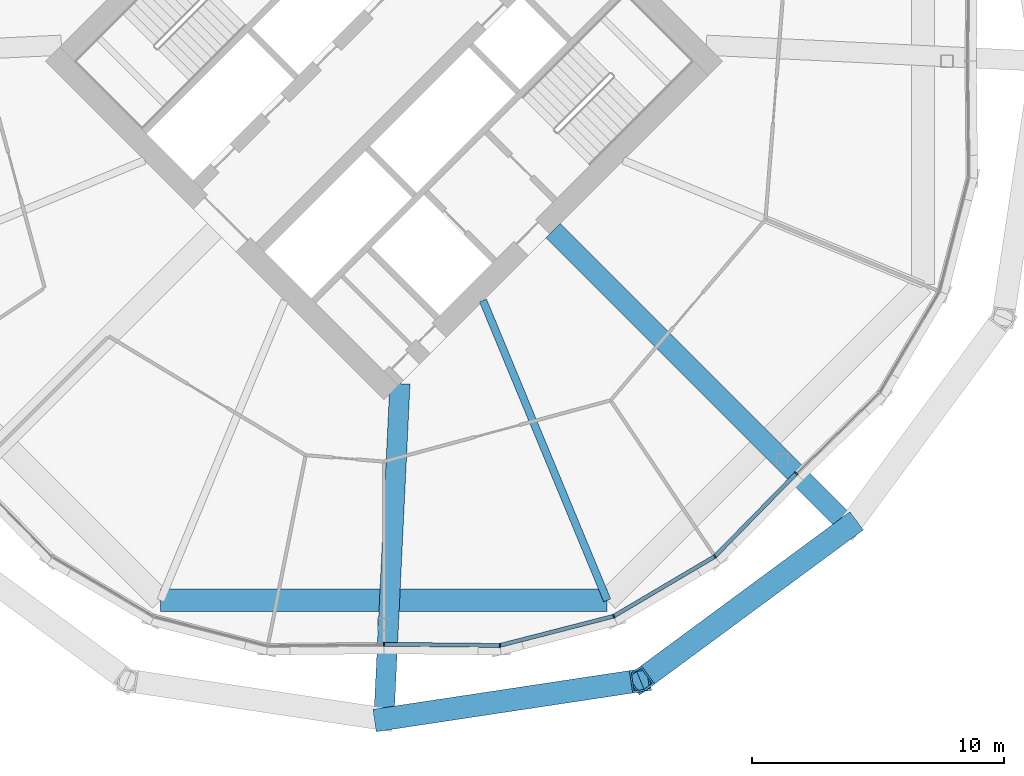
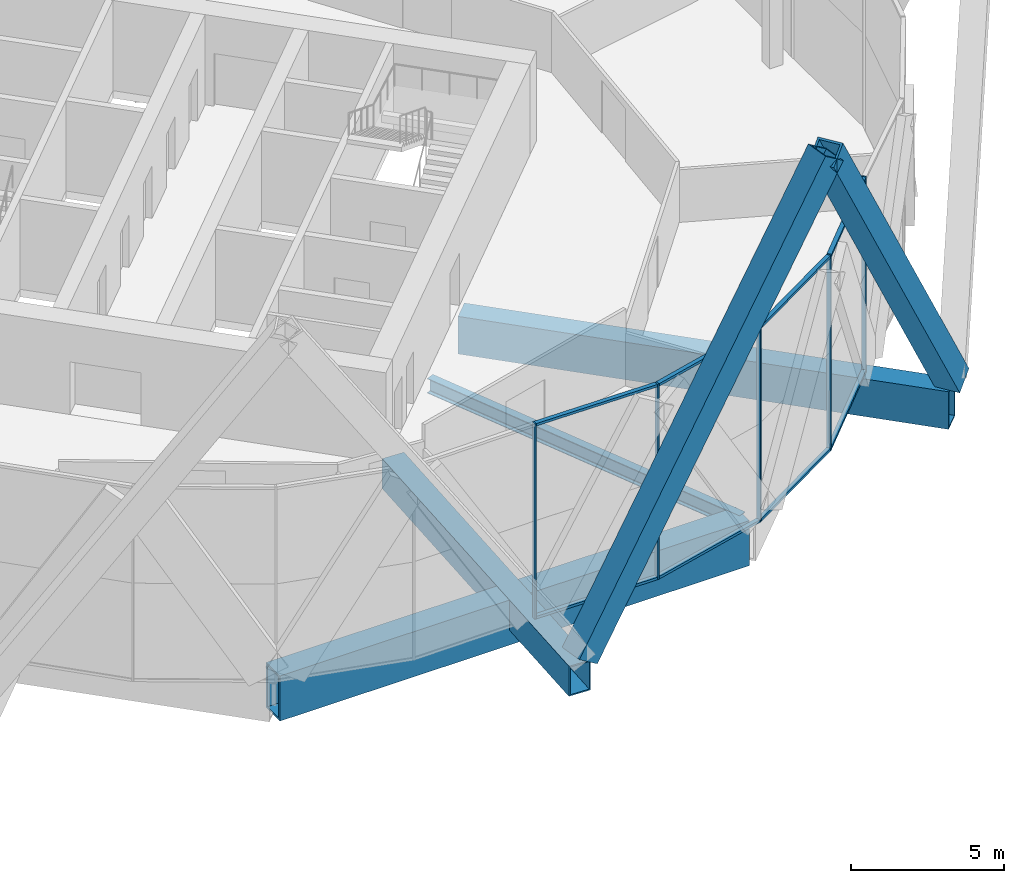
# One storey, part 13 of 28: 15 members, 4 beams, 2 elements without a shape of their own.
"""IFC4 building model written with IfcOpenShell, lengths in metres."""

import ifcopenshell
import ifcopenshell.guid

model = None  # the IFC model being written
_history = None  # IfcOwnerHistory: only IFC2X3 demands one
_inside = {}  # id of a spatial element -> (the spatial element, [elements in it])
_under = {}  # id of a project, library or spatial element -> (it, [spatial elements below it])
_declared = {}  # id of a project -> (the project, [libraries it declares])
_typed = {}  # id of a type object -> (the type object, [elements of that type])
_made_of = {}  # id of a material, layer set ... -> (it, [elements and type objects made of it])


def new_model(schema):
    """Start an empty IFC model of exactly this schema.

    Asked for "IFC4X3", IfcOpenShell would pick the latest addendum, in which some entities
    have other attributes; the version numbers below select the first issue.
    IFC2X3 requires an IfcOwnerHistory on every rooted entity: one is made here for all.
    """
    global model, _history
    if schema == "IFC4X3":
        model = ifcopenshell.file(schema_version=(4, 3, 0, 0))
    else:
        model = ifcopenshell.file(schema=schema)
    _inside.clear()
    _under.clear()
    _declared.clear()
    _typed.clear()
    _made_of.clear()
    _history = None
    if model.schema == "IFC2X3":
        org = make("IfcOrganization", Name="unknown")
        user = make(
            "IfcPersonAndOrganization",
            ThePerson=make("IfcPerson", FamilyName="unknown"),
            TheOrganization=org,
        )
        app = make(
            "IfcApplication",
            ApplicationDeveloper=org,
            Version="unknown",
            ApplicationFullName="unknown",
            ApplicationIdentifier="unknown",
        )
        _history = make(
            "IfcOwnerHistory",
            OwningUser=user,
            OwningApplication=app,
            ChangeAction="ADDED",
            CreationDate=0,
        )
    return model


def make(cls, **values):
    """One entity of the class cls with the attributes given. An attribute that is None is left unset."""
    return model.create_entity(
        cls, **{name: value for name, value in values.items() if value is not None}
    )


def rooted(cls, **values):
    """An entity with a GlobalId (a new one), such as an element, a storey or a relation."""
    return make(cls, GlobalId=ifcopenshell.guid.new(), OwnerHistory=_history, **values)


def si_unit(unit_type, name, prefix=None):
    """IfcSIUnit, for example si_unit("LENGTHUNIT", "METRE", prefix="MILLI")."""
    return make("IfcSIUnit", UnitType=unit_type, Prefix=prefix, Name=name)


def assignment(units):
    """IfcUnitAssignment: the units of a project."""
    return None if units is None else make("IfcUnitAssignment", Units=units)


def point(xyz):
    """IfcCartesianPoint."""
    return None if xyz is None else make("IfcCartesianPoint", Coordinates=xyz)


def direction(xyz):
    """IfcDirection."""
    return None if xyz is None else make("IfcDirection", DirectionRatios=xyz)


def frame(location, z_axis=None, x_axis=None):
    """IfcAxis2Placement3D, a coordinate frame: its origin and axes. An axis left out is left unset."""
    return make(
        "IfcAxis2Placement3D",
        Location=point(location),
        Axis=direction(z_axis),
        RefDirection=direction(x_axis),
    )


def frame_2d(location, x_axis=None):
    """IfcAxis2Placement2D, a coordinate frame in the plane: its origin and x axis."""
    return make(
        "IfcAxis2Placement2D", Location=point(location), RefDirection=direction(x_axis)
    )


def origin():
    """The frame at (0, 0, 0) with its axes left unset."""
    return frame((0.0, 0.0, 0.0))


def origin_2d():
    """The frame at (0, 0) in the plane with its x axis left unset."""
    return frame_2d((0.0, 0.0))


def place(relative_to, where):
    """IfcLocalPlacement: puts the frame where relative to a parent placement (None: the world)."""
    return make(
        "IfcLocalPlacement", PlacementRelTo=relative_to, RelativePlacement=where
    )


def context(
    kind, dimensions, precision=None, world=None, true_north=None, identifier=None
):
    """IfcGeometricRepresentationContext, for example the 3D "Model" context."""
    return make(
        "IfcGeometricRepresentationContext",
        ContextIdentifier=identifier,
        ContextType=kind,
        CoordinateSpaceDimension=dimensions,
        Precision=precision,
        WorldCoordinateSystem=world,
        TrueNorth=true_north,
    )


def subcontext(parent, identifier, kind, view, scale=None):
    """IfcGeometricRepresentationSubContext, for example "Body" below "Model"."""
    return make(
        "IfcGeometricRepresentationSubContext",
        ContextIdentifier=identifier,
        ContextType=kind,
        ParentContext=parent,
        TargetScale=scale,
        TargetView=view,
    )


def project(units=None, contexts=None):
    """IfcProject with its units and contexts."""
    return rooted(
        "IfcProject",
        Name="project",
        RepresentationContexts=contexts,
        UnitsInContext=assignment(units),
    )


def spatial(cls, under=None, at=None, **own):
    """A site, building, storey or space (cls), placed at a placement, below another one or the project."""
    s = rooted(cls, ObjectPlacement=at, **own)
    if under is not None:
        _under.setdefault(under.id(), (under, []))[1].append(s)
    return s


def profile(cls, at=None, kind="AREA", **sizes):
    """A parametric profile (cls). Its sizes go by their IFC names, for example OverallWidth=200.0."""
    return make(cls, ProfileType=kind, Position=at, **sizes)


def rectangle(**sizes):
    """IfcRectangleProfileDef."""
    return profile("IfcRectangleProfileDef", **sizes)


def hollow_rectangle(**sizes):
    """IfcRectangleHollowProfileDef."""
    return profile("IfcRectangleHollowProfileDef", **sizes)


def i_section(**sizes):
    """IfcIShapeProfileDef."""
    return profile("IfcIShapeProfileDef", **sizes)


def extrude(swept, where, along, depth):
    """IfcExtrudedAreaSolid: the profile swept, set in the frame where, extruded along a direction by depth."""
    return make(
        "IfcExtrudedAreaSolid",
        SweptArea=swept,
        Position=where,
        ExtrudedDirection=direction(along),
        Depth=depth,
    )


def shape(context_of_items, identifier, shape_type, items):
    """IfcShapeRepresentation: the items that make up one representation, for example the "Body"."""
    return make(
        "IfcShapeRepresentation",
        ContextOfItems=context_of_items,
        RepresentationIdentifier=identifier,
        RepresentationType=shape_type,
        Items=items,
    )


def material(Name=None, Category=None):
    """IfcMaterial."""
    return make("IfcMaterial", Name=Name, Category=Category)


def material_profile(
    of_material, cross_section, Name=None, Category=None, Priority=None
):
    """IfcMaterialProfile: a cross section and its material."""
    return make(
        "IfcMaterialProfile",
        Name=Name,
        Material=of_material,
        Profile=cross_section,
        Priority=Priority,
        Category=Category,
    )


def profile_set(profiles, Name=None, composite=None):
    """IfcMaterialProfileSet."""
    return make(
        "IfcMaterialProfileSet",
        Name=Name,
        MaterialProfiles=profiles,
        CompositeProfile=composite,
    )


def made_of(thing, what):
    """Note that an element or type object is made of a material, layer set ...; save() writes the relation."""
    if what is not None:
        _made_of.setdefault(what.id(), (what, []))[1].append(thing)
    return thing


def type_object(cls, material=None, **own):
    """A type object (cls), such as IfcWallType, which elements share."""
    return made_of(rooted(cls, **own), material)


def element(
    cls,
    number,
    at=None,
    inside=None,
    cuts=None,
    type_object=None,
    material=None,
    context=None,
    identifier="Body",
    shape_type=None,
    held_by="IfcProductDefinitionShape",
    body=None,
    shapes=None,
    **own,
):
    """One element of the class cls, such as IfcWall. Its Tag is "e" and its number.

    at: its placement. inside: the storey or other place that contains it. cuts: it is an
    opening in that element (IfcRelVoidsElement). A single representation is given by context,
    identifier, shape_type and body (its items); several are given by shapes. held_by: the class
    of the entity that holds the representations. save() writes the other relations.
    """
    e = rooted(cls, Tag="e%d" % number, ObjectPlacement=at, **own)
    if body is not None:
        shapes = [shape(context, identifier, shape_type, body)]
    if shapes is not None:
        e.Representation = make(held_by, Representations=shapes)
    if inside is not None:
        _inside.setdefault(inside.id(), (inside, []))[1].append(e)
    if cuts is not None:
        rooted(
            "IfcRelVoidsElement", RelatingBuildingElement=cuts, RelatedOpeningElement=e
        )
    if type_object is not None:
        _typed.setdefault(type_object.id(), (type_object, []))[1].append(e)
    return made_of(e, material)


def aggregate(whole, parts):
    """IfcRelAggregates: a whole, such as a stair, and the parts it consists of."""
    return rooted("IfcRelAggregates", RelatingObject=whole, RelatedObjects=parts)


def save(model, path):
    """Write the relations noted so far, then the file.

    IfcRelAggregates (storeys below a building ...), IfcRelContainedInSpatialStructure (elements
    in a storey), IfcRelDefinesByType, IfcRelAssociatesMaterial and IfcRelDeclares: one each for
    every whole, place, type object, material and project.
    """
    for whole, parts in _under.values():
        aggregate(whole, parts)
    for where, things in _inside.values():
        rooted(
            "IfcRelContainedInSpatialStructure",
            RelatedElements=things,
            RelatingStructure=where,
        )
    for kind, things in _typed.values():
        rooted("IfcRelDefinesByType", RelatedObjects=things, RelatingType=kind)
    for what, things in _made_of.values():
        rooted("IfcRelAssociatesMaterial", RelatedObjects=things, RelatingMaterial=what)
    for by, libraries in _declared.values():
        rooted("IfcRelDeclares", RelatingContext=by, RelatedDefinitions=libraries)
    model.write(path)


model = new_model("IFC4")

# Units and contexts
model_context = context("Model", 3, precision=1e-05, world=origin(), true_north=direction((0.0, 1.0)))
body_context = subcontext(model_context, "Body", "Model", "MODEL_VIEW")
ifc_project = project(units=[si_unit("LENGTHUNIT", "METRE"), si_unit("AREAUNIT", "SQUARE_METRE"), si_unit("VOLUMEUNIT", "CUBIC_METRE"), si_unit("PLANEANGLEUNIT", "RADIAN"), si_unit("MASSUNIT", "GRAM", prefix="KILO")], contexts=[model_context])

# Site, building, storey
site_placement = place(None, origin())
site = spatial("IfcSite", under=ifc_project, at=site_placement, CompositionType="ELEMENT")
building_placement = place(site_placement, origin())
building = spatial("IfcBuilding", under=site, at=building_placement, Name="Ogive Gate Towers", CompositionType="ELEMENT")
storey_placement = place(building_placement, frame((0.0, 0.0, 115.199951171875)))
storey = spatial("IfcBuildingStorey", under=building, at=storey_placement, Name="L27", CompositionType="ELEMENT", Elevation=115.199951171875)

# Members
ifc_material_1 = material(Name="Steel SM460", Category="steel")
ifc_material_profile_1 = material_profile(ifc_material_1, hollow_rectangle(XDim=0.89990234375, YDim=0.89990234375, WallThickness=0.080078125, at=origin_2d()), Name="BX 900x900x80")
ifc_profile_set_1 = profile_set([ifc_material_profile_1], Name="Steel SM460")
member_type_1 = type_object("IfcMemberType", Name="Diagrid diagonal BX 900x900x80", PredefinedType="BRACE", material=ifc_profile_set_1)
for number, where, z_axis, x_axis, name in (
    (1, (36.0, -26.110107421875, 0.0), (0.544627829519, 0.082121961007, 0.834647536889), (-0.149100004323, 0.988822121876, 0.0), "T2/L27/SDG014"),
    (2, (54.462646484375, -18.462646484375, 0.0), (-0.443175302272, -0.327039025082, 0.83465030254), (0.593774070845, -0.804631811944, 0.0), "T2/L27/SDG015"),
):
    element("IfcMember", number, at=place(storey_placement, frame(where, z_axis=z_axis, x_axis=x_axis)), inside=storey, type_object=member_type_1, Name=name, PredefinedType="BRACE", context=body_context, shape_type="SweptSolid", body=[
        extrude(hollow_rectangle(XDim=0.89990234375, YDim=0.89990234375, WallThickness=0.080078125, at=origin_2d()), origin(), (0.0, 0.0, 1.0), 18.690673828125),
    ])

# Beams
ifc_material_profile_2 = material_profile(ifc_material_1, hollow_rectangle(XDim=0.89990234375, YDim=1.800048828125, WallThickness=0.080078125, at=origin_2d()), Name="BX 1800x900x80")
ifc_profile_set_2 = profile_set([ifc_material_profile_2], Name="Steel SM460")
beam_type_1 = type_object("IfcBeamType", Name="Edge girder BX 1800x900x80", PredefinedType="BEAM", material=ifc_profile_set_2)
beam_1_placement = place(storey_placement, frame((27.136962890625, -21.39697265625, -1.199951171875), z_axis=(1.0, 0.0, 0.0), x_axis=(0.0, 1.0, 0.0)))
element("IfcBeam", 3, at=beam_1_placement, inside=storey, type_object=beam_type_1, Name="T2/L27/SBM018", PredefinedType="BEAM", context=body_context, shape_type="SweptSolid", body=[
    extrude(hollow_rectangle(XDim=0.89990234375, YDim=1.800048828125, WallThickness=0.080078125, at=origin_2d()), origin(), (0.0, 0.0, 1.0), 17.72607421875),
])
ifc_material_2 = material(Name="Steel SM355", Category="steel")
ifc_material_profile_3 = material_profile(ifc_material_2, i_section(OverallWidth=0.300048828125, OverallDepth=0.590087890625, WebThickness=0.012939453125, FlangeThickness=0.02490234375, FilletRadius=0.027099609375, at=origin_2d()), Name="HE 600 A")
ifc_profile_set_3 = profile_set([ifc_material_profile_3], Name="Steel SM355")
beam_type_2 = type_object("IfcBeamType", Name="Radial floor beam HE 600 A", PredefinedType="BEAM", material=ifc_profile_set_3)
beam_2_placement = place(storey_placement, frame((39.93505859375, -9.5, -0.594970703125), z_axis=(0.382689470177, -0.923877031545, 0.0), x_axis=(0.923877031545, 0.382689470177, 0.0)))
element("IfcBeam", 4, at=beam_2_placement, inside=storey, type_object=beam_type_2, Name="T2/L27/SBM005", PredefinedType="BEAM", context=body_context, shape_type="SweptSolid", body=[
    extrude(i_section(OverallWidth=0.300048828125, OverallDepth=0.590087890625, WebThickness=0.012939453125, FlangeThickness=0.02490234375, FilletRadius=0.027099609375, at=origin_2d()), origin(), (0.0, 0.0, 1.0), 12.877197265625),
])

# Curtain wall, member
ifc_material_3 = material(Name="Pale metal aluminium", Category="aluminium")
curtain_wall_type = type_object("IfcCurtainWallType", Name="Tower unitised wall, low zone", PredefinedType="NOTDEFINED", material=ifc_material_3)
curtain_wall_1_placement = place(storey_placement, origin())
curtain_wall_1 = element("IfcCurtainWall", 5, at=curtain_wall_1_placement, inside=storey, type_object=curtain_wall_type, Name="CW1 T2 ECW06", PredefinedType="NOTDEFINED")
ifc_material_profile_4 = material_profile(ifc_material_3, rectangle(XDim=0.159912109375, YDim=0.06005859375, at=origin_2d()), Name="60 x 160 aluminium box")
ifc_profile_set_4 = profile_set([ifc_material_profile_4], Name="Pale metal aluminium")
member_type_2 = type_object("IfcMemberType", Name="Tower unitised wall, low zone mullion 60 x 160", PredefinedType="MULLION", material=ifc_profile_set_4)
member_1_placement = place(storey_placement, frame((35.999755859375, -23.139892578125, -0.300048828125), z_axis=(0.0, 0.0, 1.0), x_axis=(0.010279808233, -0.999947161375, 0.0)))
member_1 = element("IfcMember", 6, at=member_1_placement, type_object=member_type_2, Name="CW1 mullion", PredefinedType="MULLION", context=body_context, shape_type="SweptSolid", body=[
    extrude(rectangle(XDim=0.159912109375, YDim=0.06005859375, at=origin_2d()), origin(), (0.0, 0.0, 1.0), 7.800048828125),
])
aggregate(curtain_wall_1, [member_1])

# Curtain wall, members
curtain_wall_2_placement = place(storey_placement, origin())
curtain_wall_2 = element("IfcCurtainWall", 7, at=curtain_wall_2_placement, inside=storey, type_object=curtain_wall_type, Name="CW1 T2 ECW07", PredefinedType="NOTDEFINED")
member_2_placement = place(storey_placement, frame((40.606201171875, -23.1875, -0.300048828125), z_axis=(0.0, 0.0, 1.0), x_axis=(0.120379411626, -0.992727957326, 0.0)))
member_2 = element("IfcMember", 8, at=member_2_placement, type_object=member_type_2, Name="CW1 mullion", PredefinedType="MULLION", context=body_context, shape_type="SweptSolid", body=[
    extrude(rectangle(XDim=0.159912109375, YDim=0.06005859375, at=origin_2d()), origin(), (0.0, 0.0, 1.0), 7.800048828125),
])
member_3_placement = place(storey_placement, frame((45.12353515625, -22.026123046875, -0.300048828125), z_axis=(0.0, 0.0, 1.0), x_axis=(0.382683432365, -0.923879532511, 0.0)))
member_3 = element("IfcMember", 9, at=member_3_placement, type_object=member_type_2, Name="CW1 mullion", PredefinedType="MULLION", context=body_context, shape_type="SweptSolid", body=[
    extrude(rectangle(XDim=0.159912109375, YDim=0.06005859375, at=origin_2d()), origin(), (0.0, 0.0, 1.0), 7.800048828125),
])
member_4_placement = place(storey_placement, frame((49.13916015625, -19.653076171875, -0.300048828125), z_axis=(0.0, 0.0, 1.0), x_axis=(0.616843572223, -0.787085768775, 0.0)))
member_4 = element("IfcMember", 10, at=member_4_placement, type_object=member_type_2, Name="CW1 mullion", PredefinedType="MULLION", context=body_context, shape_type="SweptSolid", body=[
    extrude(rectangle(XDim=0.159912109375, YDim=0.06005859375, at=origin_2d()), origin(), (0.0, 0.0, 1.0), 7.800048828125),
])
member_5_placement = place(storey_placement, frame((52.3623046875, -16.362548828125, -0.300048828125), z_axis=(0.0, 0.0, 1.0), x_axis=(0.714350554462, -0.699788028863, 0.0)))
member_5 = element("IfcMember", 11, at=member_5_placement, type_object=member_type_2, Name="CW1 mullion", PredefinedType="MULLION", context=body_context, shape_type="SweptSolid", body=[
    extrude(rectangle(XDim=0.159912109375, YDim=0.06005859375, at=origin_2d()), origin(), (0.0, 0.0, 1.0), 7.800048828125),
])
ifc_material_profile_5 = material_profile(ifc_material_3, rectangle(XDim=0.159912109375, YDim=0.10009765625, at=origin_2d()), Name="100 x 160 aluminium box")
ifc_profile_set_5 = profile_set([ifc_material_profile_5], Name="Pale metal aluminium")
member_type_3 = type_object("IfcMemberType", Name="Tower unitised wall, low zone transom 100 x 160", PredefinedType="USERDEFINED", material=ifc_profile_set_5)
member_6_placement = place(storey_placement, frame((36.0302734375, -23.140380859375, 7.449951171875), z_axis=(0.999947449507, -0.010251742504, 0.0), x_axis=(0.010251742504, 0.999947449507, 0.0)))
member_6 = element("IfcMember", 12, at=member_6_placement, type_object=member_type_3, Name="CW1 transom", ObjectType="TRANSOM", PredefinedType="USERDEFINED", context=body_context, shape_type="SweptSolid", body=[
    extrude(rectangle(XDim=0.159912109375, YDim=0.10009765625, at=origin_2d()), origin(), (0.0, 0.0, 1.0), 4.548583984375),
])
member_7_placement = place(storey_placement, frame((36.0302734375, -23.140380859375, -0.25), z_axis=(0.999947449507, -0.010251742504, 0.0), x_axis=(0.010251742504, 0.999947449507, 0.0)))
member_7 = element("IfcMember", 13, at=member_7_placement, type_object=member_type_3, Name="CW1 transom", ObjectType="TRANSOM", PredefinedType="USERDEFINED", context=body_context, shape_type="SweptSolid", body=[
    extrude(rectangle(XDim=0.159912109375, YDim=0.10009765625, at=origin_2d()), origin(), (0.0, 0.0, 1.0), 4.548583984375),
])
member_8_placement = place(storey_placement, frame((40.632568359375, -23.1806640625, 7.449951171875), z_axis=(0.968497677012, 0.249022588577, 0.0), x_axis=(-0.249022588577, 0.968497677012, 0.0)))
member_8 = element("IfcMember", 14, at=member_8_placement, type_object=member_type_3, Name="CW1 transom", ObjectType="TRANSOM", PredefinedType="USERDEFINED", context=body_context, shape_type="SweptSolid", body=[
    extrude(rectangle(XDim=0.159912109375, YDim=0.10009765625, at=origin_2d()), origin(), (0.0, 0.0, 1.0), 4.60986328125),
])
member_9_placement = place(storey_placement, frame((40.632568359375, -23.1806640625, -0.25), z_axis=(0.968497677012, 0.249022588577, 0.0), x_axis=(-0.249022588577, 0.968497677012, 0.0)))
member_9 = element("IfcMember", 15, at=member_9_placement, type_object=member_type_3, Name="CW1 transom", ObjectType="TRANSOM", PredefinedType="USERDEFINED", context=body_context, shape_type="SweptSolid", body=[
    extrude(rectangle(XDim=0.159912109375, YDim=0.10009765625, at=origin_2d()), origin(), (0.0, 0.0, 1.0), 4.60986328125),
])
member_10_placement = place(storey_placement, frame((45.14697265625, -22.01220703125, 7.449951171875), z_axis=(0.860885405398, 0.508798898164, 0.0), x_axis=(-0.508798898164, 0.860885405398, 0.0)))
member_10 = element("IfcMember", 16, at=member_10_placement, type_object=member_type_3, Name="CW1 transom", ObjectType="TRANSOM", PredefinedType="USERDEFINED", context=body_context, shape_type="SweptSolid", body=[
    extrude(rectangle(XDim=0.159912109375, YDim=0.10009765625, at=origin_2d()), origin(), (0.0, 0.0, 1.0), 4.60986328125),
])
member_11_placement = place(storey_placement, frame((45.14697265625, -22.01220703125, -0.25), z_axis=(0.860885405398, 0.508798898164, 0.0), x_axis=(-0.508798898164, 0.860885405398, 0.0)))
member_11 = element("IfcMember", 17, at=member_11_placement, type_object=member_type_3, Name="CW1 transom", ObjectType="TRANSOM", PredefinedType="USERDEFINED", context=body_context, shape_type="SweptSolid", body=[
    extrude(rectangle(XDim=0.159912109375, YDim=0.10009765625, at=origin_2d()), origin(), (0.0, 0.0, 1.0), 4.60986328125),
])
member_12_placement = place(storey_placement, frame((49.158203125, -19.63330078125, 7.449951171875), z_axis=(0.699796604064, 0.714342153972, 0.0), x_axis=(-0.714342153972, 0.699796604064, 0.0)))
member_12 = element("IfcMember", 18, at=member_12_placement, type_object=member_type_3, Name="CW1 transom", ObjectType="TRANSOM", PredefinedType="USERDEFINED", context=body_context, shape_type="SweptSolid", body=[
    extrude(rectangle(XDim=0.159912109375, YDim=0.10009765625, at=origin_2d()), origin(), (0.0, 0.0, 1.0), 4.548583984375),
])
member_13_placement = place(storey_placement, frame((49.158203125, -19.63330078125, -0.25), z_axis=(0.699796604064, 0.714342153972, 0.0), x_axis=(-0.714342153972, 0.699796604064, 0.0)))
member_13 = element("IfcMember", 19, at=member_13_placement, type_object=member_type_3, Name="CW1 transom", ObjectType="TRANSOM", PredefinedType="USERDEFINED", context=body_context, shape_type="SweptSolid", body=[
    extrude(rectangle(XDim=0.159912109375, YDim=0.10009765625, at=origin_2d()), origin(), (0.0, 0.0, 1.0), 4.548583984375),
])
aggregate(curtain_wall_2, [member_2, member_6, member_7, member_3, member_8, member_9, member_4, member_10, member_11, member_5, member_12, member_13])

# Beams
ifc_material_profile_6 = material_profile(ifc_material_1, hollow_rectangle(XDim=0.800048828125, YDim=1.199951171875, WallThickness=0.050048828125, at=origin_2d()), Name="BX 1200x800x50")
ifc_profile_set_6 = profile_set([ifc_material_profile_6], Name="Steel SM460")
beam_type_3 = type_object("IfcBeamType", Name="Transfer radial beam BX 1200x800x50", PredefinedType="BEAM", material=ifc_profile_set_6)
beam_3_placement = place(storey_placement, frame((36.636474609375, -12.798583984375, -0.89990234375), z_axis=(-0.047759245289, -0.998858876163, 0.0), x_axis=(0.998858876163, -0.047759245289, 0.0)))
element("IfcBeam", 20, at=beam_3_placement, inside=storey, type_object=beam_type_3, Name="T2/L27/SBM004", PredefinedType="BEAM", context=body_context, shape_type="SweptSolid", body=[
    extrude(hollow_rectangle(XDim=0.800048828125, YDim=1.199951171875, WallThickness=0.050048828125, at=origin_2d()), origin(), (0.0, 0.0, 1.0), 13.32666015625),
])
ifc_material_profile_7 = material_profile(ifc_material_1, hollow_rectangle(XDim=0.800048828125, YDim=1.5, WallThickness=0.06005859375, at=origin_2d()), Name="BX 1500x800x60")
ifc_profile_set_7 = profile_set([ifc_material_profile_7], Name="Steel SM460")
beam_type_4 = type_object("IfcBeamType", Name="Transfer radial beam BX 1500x800x60", PredefinedType="BEAM", material=ifc_profile_set_7)
beam_4_placement = place(storey_placement, frame((42.717529296875, -6.717529296875, -1.050048828125), z_axis=(0.707106781187, -0.707106781187, 0.0), x_axis=(0.707106781187, 0.707106781187, 0.0)))
element("IfcBeam", 21, at=beam_4_placement, inside=storey, type_object=beam_type_4, Name="T2/L27/SBM006", PredefinedType="BEAM", context=body_context, shape_type="SweptSolid", body=[
    extrude(hollow_rectangle(XDim=0.800048828125, YDim=1.5, WallThickness=0.06005859375, at=origin_2d()), origin(), (0.0, 0.0, 1.0), 16.610107421875),
])

save(model, "model.ifc")
